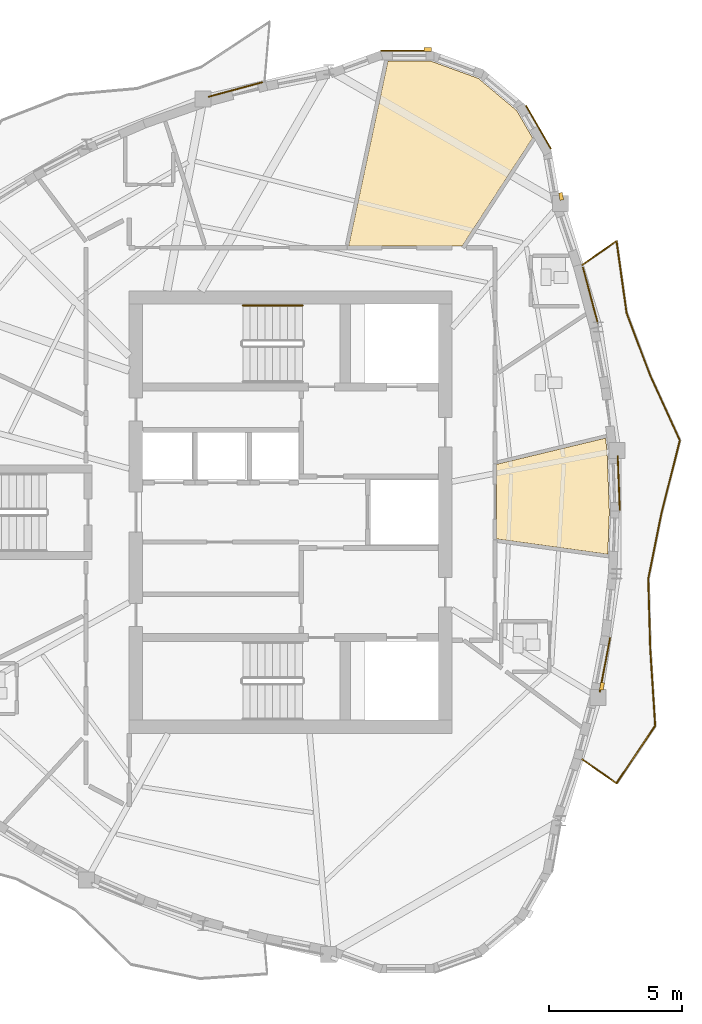
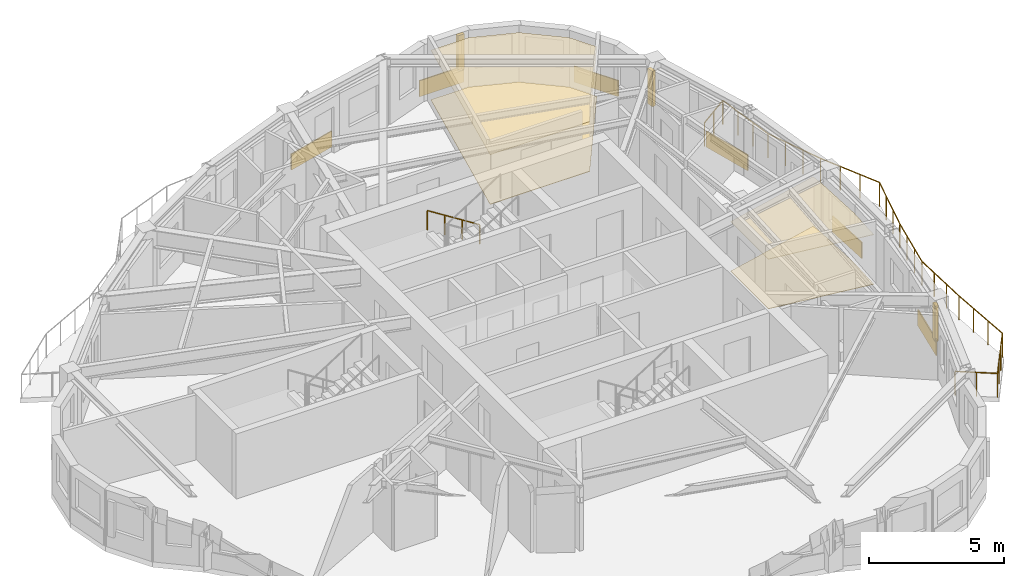
# One storey, part 11 of 12: 10 coverings, 3 shading devices, 2 railings.
"""IFC4 building model written with IfcOpenShell, lengths in metres."""

from ifc_helpers import new_model, si_unit, direction, frame, origin, origin_2d, place, context, subcontext, project, spatial, polyline, rectangle, circle, outline, extrude, source, transform, mapped, material, layer, layer_set, type_object, element, save


model = new_model("IFC4")

# Units and contexts
model_context = context("Model", 3, precision=1e-05, world=origin(), true_north=direction((0.0, 1.0)))
body_context = subcontext(model_context, "Body", "Model", "MODEL_VIEW")
ifc_project = project(units=[si_unit("LENGTHUNIT", "METRE"), si_unit("AREAUNIT", "SQUARE_METRE"), si_unit("VOLUMEUNIT", "CUBIC_METRE"), si_unit("PLANEANGLEUNIT", "RADIAN"), si_unit("MASSUNIT", "GRAM", prefix="KILO")], contexts=[model_context])

# Site, building, storey
site_placement = place(None, origin())
site = spatial("IfcSite", under=ifc_project, at=site_placement, CompositionType="ELEMENT")
building_placement = place(site_placement, origin())
building = spatial("IfcBuilding", under=site, at=building_placement, Name="Qafzar Sky-Pleat Residences", CompositionType="ELEMENT")
storey_placement = place(building_placement, frame((0.0, 0.0, 202.0)))
storey = spatial("IfcBuildingStorey", under=building, at=storey_placement, Name="L60", CompositionType="ELEMENT", Elevation=202.0)

# Coverings
ifc_material_1 = material(Name="Perforated acoustic gypsum board ceiling")
ifc_layer_1 = layer(ifc_material_1, 0.02001953125)
ifc_layer_set_1 = layer_set([ifc_layer_1], Name="Perforated acoustic gypsum board ceiling")
covering_type_1 = type_object("IfcCoveringType", Name="COV-CEIL-ACOUSTIC", PredefinedType="CEILING", material=ifc_layer_set_1)
covering_1_placement = place(storey_placement, frame((0.0, 0.0, 2.239990234375)))
element("IfcCovering", 1, at=covering_1_placement, inside=storey, type_object=covering_type_1, Name="L60 Communal Kitchen Acoustic Ceiling", PredefinedType="CEILING", context=body_context, shape_type="SweptSolid", body=[
    extrude(outline(polyline([(42.22119140625, 28.285888671875), (42.30810546875, 26.0), (42.248046875, 24.42138671875), (38.080078125, 24.99560546875), (38.080078125, 27.7958984375), (42.165283203125, 28.777587890625), (42.22119140625, 28.285888671875)])), origin(), (0.0, 0.0, 1.0), 0.02001953125),
])
covering_2_placement = place(storey_placement, frame((0.0, 0.0, 2.239990234375)))
element("IfcCovering", 2, at=covering_2_placement, inside=storey, type_object=covering_type_1, Name="L60 Co-Living Lounge Acoustic Ceiling", PredefinedType="CEILING", context=body_context, shape_type="SweptSolid", body=[
    extrude(outline(polyline([(35.6220703125, 42.912109375), (37.39208984375, 42.267578125), (38.835205078125, 41.056884765625), (39.42822265625, 40.02978515625), (36.787109375, 35.97998046875), (32.530517578125, 35.97998046875), (34.00244140625, 42.912109375), (35.6220703125, 42.912109375)])), origin(), (0.0, 0.0, 1.0), 0.02001953125),
])
ifc_material_2 = material(Name="Honed porcelain and Riyadh stone tile flooring", Category="masonry")
ifc_layer_2 = layer(ifc_material_2, 0.02001953125)
ifc_layer_set_2 = layer_set([ifc_layer_2], Name="Honed porcelain and Riyadh stone tile flooring")
covering_type_2 = type_object("IfcCoveringType", Name="COV-FLR-PORCELAIN", PredefinedType="FLOORING", material=ifc_layer_set_2)
covering_3_placement = place(storey_placement, origin())
element("IfcCovering", 3, at=covering_3_placement, inside=storey, type_object=covering_type_2, Name="L60 Communal Kitchen Honed Stone Flooring", PredefinedType="FLOORING", context=body_context, shape_type="SweptSolid", body=[
    extrude(outline(polyline([(42.22119140625, 28.285888671875), (42.30810546875, 26.0), (42.248046875, 24.42138671875), (38.080078125, 24.99560546875), (38.080078125, 27.7958984375), (42.165283203125, 28.777587890625), (42.22119140625, 28.285888671875)])), origin(), (0.0, 0.0, 1.0), 0.02001953125),
])
covering_4_placement = place(storey_placement, origin())
element("IfcCovering", 4, at=covering_4_placement, inside=storey, type_object=covering_type_2, Name="L60 Co-Living Lounge Honed Stone Flooring", PredefinedType="FLOORING", context=body_context, shape_type="SweptSolid", body=[
    extrude(outline(polyline([(35.6220703125, 42.912109375), (37.39208984375, 42.267578125), (38.835205078125, 41.056884765625), (39.42822265625, 40.02978515625), (36.787109375, 35.97998046875), (32.530517578125, 35.97998046875), (34.00244140625, 42.912109375), (35.6220703125, 42.912109375)])), origin(), (0.0, 0.0, 1.0), 0.02001953125),
])

# Shading devices
ifc_material_3 = material(Name="Honed Riyadh limestone solar fin", Category="masonry")
ifc_layer_3 = layer(ifc_material_3, 0.139892578125)
ifc_layer_set_3 = layer_set([ifc_layer_3], Name="Honed Riyadh limestone solar fin")
shading_device_type = type_object("IfcShadingDeviceType", Name="SHD-FIN-STONE", PredefinedType="SHUTTER", material=ifc_layer_set_3)
shared_shape_1 = source(origin(), body_context, "Body", "SweptSolid", [
    extrude(rectangle(XDim=0.139892578125, YDim=0.280029296875, at=origin_2d()), origin(), (0.0, 0.0, 1.0), 1.60009765625),
])
for number, where, z_axis, x_axis, name in (
    (5, (42.03125, 19.469970703125, 0.599853515625), (0.0, 0.0, 1.0), (0.982422816778, -0.186669250475, 0.0), "L60 Limestone Solar Fin 25"),
    (6, (40.498779296875, 37.838623046875, 0.599853515625), (0.0, 0.0, 1.0), (0.984806040716, 0.173657888303, 0.0), "L60 Limestone Solar Fin 33"),
    (7, (35.504638671875, 43.346923828125, 0.599853515625), (0.0, 0.0, 1.0), (0.0, 1.0, 0.0), "L60 Limestone Solar Fin 37"),
):
    element("IfcShadingDevice", number, at=place(storey_placement, frame(where, z_axis=z_axis, x_axis=x_axis)), inside=storey, type_object=shading_device_type, Name=name, PredefinedType="SHUTTER", context=body_context, shape_type="MappedRepresentation", body=[
        mapped(shared_shape_1, transform((0.0, 0.0, 0.0), x_axis=(1.0, 0.0, 0.0), y_axis=(0.0, 1.0, 0.0), z_axis=(0.0, 0.0, 1.0), scale=1.0)),
    ])

# Coverings
ifc_material_4 = material(Name="Honed Riyadh Tuwaiq limestone cladding", Category="masonry")
ifc_layer_4 = layer(ifc_material_4, 0.044921875)
ifc_layer_set_4 = layer_set([ifc_layer_4], Name="Honed Riyadh Tuwaiq limestone cladding")
covering_type_3 = type_object("IfcCoveringType", Name="COV-CLAD-STONE", PredefinedType="CLADDING", material=ifc_layer_set_4)
shared_shape_2 = source(origin(), body_context, "Body", "SweptSolid", [
    extrude(rectangle(XDim=1.88134765625, YDim=0.044921875, at=origin_2d()), origin(), (0.0, 0.0, 1.0), 0.719970703125),
])
for number, where, z_axis, x_axis, name in (
    (8, (39.645751953125, 40.43701171875, 0.02001953125), (0.0, 0.0, 1.0), (-0.499972303345, 0.866041393865, 0.0), "L60 Riyadh Limestone Spandrel Cladding 34"),
    (9, (34.679931640625, 43.303955078125, 0.02001953125), (0.0, 0.0, 1.0), (-1.0, 0.0, 0.0), "L60 Riyadh Limestone Spandrel Cladding 37"),
):
    element("IfcCovering", number, at=place(storey_placement, frame(where, z_axis=z_axis, x_axis=x_axis)), inside=storey, type_object=covering_type_3, Name=name, PredefinedType="CLADDING", context=body_context, shape_type="MappedRepresentation", body=[
        mapped(shared_shape_2, transform((0.0, 0.0, 0.0), x_axis=(1.0, 0.0, 0.0), y_axis=(0.0, 1.0, 0.0), z_axis=(0.0, 0.0, 1.0), scale=1.0)),
    ])

# Railing
ifc_material_5 = material(Name="Laminated glass and bronze steel balustrade", Category="steel")
railing_type_1 = type_object("IfcRailingType", Name="RAIL-BAL-1100", PredefinedType="BALUSTRADE", material=ifc_material_5)
shared_shape_3 = source(origin(), body_context, "Body", "SweptSolid", [
    extrude(circle(Radius=0.02392578125, at=origin_2d()), frame((0.0, 0.0, 1.076171875), z_axis=(0.820204604859, -0.572070280794, 0.0), x_axis=(0.572070280794, 0.820204604859, 0.0)), (0.0, 0.0, 1.0), 1.578125),
    extrude(circle(Radius=0.02392578125, at=origin_2d()), frame((1.29443359375, -0.90283203125, 1.076171875), z_axis=(0.557971916083, 0.829859832058, 0.0), x_axis=(-0.829859832058, 0.557971916083, 0.0)), (0.0, 0.0, 1.0), 2.596923828125),
    extrude(circle(Radius=0.02392578125, at=origin_2d()), frame((2.743408203125, 1.252197265625, 1.076171875), z_axis=(-0.063814327299, 0.997961788663, 0.0), x_axis=(-0.997961788663, -0.063814327299, 0.0)), (0.0, 0.0, 1.0), 2.89990234375),
    extrude(circle(Radius=0.02392578125, at=origin_2d()), frame((2.558349609375, 4.146240234375, 1.076171875), z_axis=(-0.02826417954, 0.999600488273, 0.0), x_axis=(-0.999600488273, -0.02826417954, 0.0)), (0.0, 0.0, 1.0), 2.6171875),
    extrude(circle(Radius=0.02392578125, at=origin_2d()), frame((2.484375, 6.762451171875, 1.076171875), z_axis=(0.197091666484, 0.980385064657, 0.0), x_axis=(-0.980385064657, 0.197091666484, 0.0)), (0.0, 0.0, 1.0), 2.550537109375),
    extrude(circle(Radius=0.02392578125, at=origin_2d()), frame((2.987060546875, 9.262939453125, 1.076171875), z_axis=(0.246096098099, 0.969245433572, 0.0), x_axis=(-0.969245433572, 0.246096098099, 0.0)), (0.0, 0.0, 1.0), 2.773681640625),
    extrude(circle(Radius=0.02392578125, at=origin_2d()), frame((3.669677734375, 11.951416015625, 1.076171875), z_axis=(-0.416157265311, 0.909292653951, 0.0), x_axis=(-0.909292653951, -0.416157265311, 0.0)), (0.0, 0.0, 1.0), 2.67041015625),
    extrude(circle(Radius=0.02392578125, at=origin_2d()), frame((2.558349609375, 14.379638671875, 1.076171875), z_axis=(-0.352567417277, 0.935786415949, 0.0), x_axis=(-0.935786415949, -0.352567417277, 0.0)), (0.0, 0.0, 1.0), 2.519287109375),
    extrude(circle(Radius=0.02392578125, at=origin_2d()), frame((1.670166015625, 16.737060546875, 1.076171875), z_axis=(-0.138251360548, 0.990397173515, 0.0), x_axis=(-0.990397173515, -0.138251360548, 0.0)), (0.0, 0.0, 1.0), 2.7177734375),
    extrude(circle(Radius=0.02392578125, at=origin_2d()), frame((1.29443359375, 19.4287109375, 1.076171875), z_axis=(-0.820204604859, -0.572070280794, 0.0), x_axis=(0.572070280794, -0.820204604859, 0.0)), (0.0, 0.0, 1.0), 1.578125),
    extrude(circle(Radius=0.02099609375, at=origin_2d()), origin(), (0.0, 0.0, 1.0), 1.052001953125),
    extrude(circle(Radius=0.02099609375, at=origin_2d()), frame((0.647216796875, -0.451416015625, 0.0)), (0.0, 0.0, 1.0), 1.052001953125),
    extrude(circle(Radius=0.02099609375, at=origin_2d()), frame((1.29443359375, -0.90283203125, 0.0)), (0.0, 0.0, 1.0), 1.052001953125),
    extrude(circle(Radius=0.02099609375, at=origin_2d()), frame((1.77734375, -0.1845703125, 0.0)), (0.0, 0.0, 1.0), 1.052001953125),
    extrude(circle(Radius=0.02099609375, at=origin_2d()), frame((2.260498046875, 0.533935546875, 0.0)), (0.0, 0.0, 1.0), 1.052001953125),
    extrude(circle(Radius=0.02099609375, at=origin_2d()), frame((2.743408203125, 1.252197265625, 0.0)), (0.0, 0.0, 1.0), 1.052001953125),
    extrude(circle(Radius=0.02099609375, at=origin_2d()), frame((2.681640625, 2.216796875, 0.0)), (0.0, 0.0, 1.0), 1.052001953125),
    extrude(circle(Radius=0.02099609375, at=origin_2d()), frame((2.6201171875, 3.181640625, 0.0)), (0.0, 0.0, 1.0), 1.052001953125),
    extrude(circle(Radius=0.02099609375, at=origin_2d()), frame((2.558349609375, 4.146240234375, 0.0)), (0.0, 0.0, 1.0), 1.052001953125),
    extrude(circle(Radius=0.02099609375, at=origin_2d()), frame((2.53369140625, 5.018310546875, 0.0)), (0.0, 0.0, 1.0), 1.052001953125),
    extrude(circle(Radius=0.02099609375, at=origin_2d()), frame((2.509033203125, 5.890380859375, 0.0)), (0.0, 0.0, 1.0), 1.052001953125),
    extrude(circle(Radius=0.02099609375, at=origin_2d()), frame((2.484375, 6.762451171875, 0.0)), (0.0, 0.0, 1.0), 1.052001953125),
    extrude(circle(Radius=0.02099609375, at=origin_2d()), frame((2.65185546875, 7.595947265625, 0.0)), (0.0, 0.0, 1.0), 1.052001953125),
    extrude(circle(Radius=0.02099609375, at=origin_2d()), frame((2.819580078125, 8.429443359375, 0.0)), (0.0, 0.0, 1.0), 1.052001953125),
    extrude(circle(Radius=0.02099609375, at=origin_2d()), frame((2.987060546875, 9.262939453125, 0.0)), (0.0, 0.0, 1.0), 1.052001953125),
    extrude(circle(Radius=0.02099609375, at=origin_2d()), frame((3.214599609375, 10.1591796875, 0.0)), (0.0, 0.0, 1.0), 1.052001953125),
    extrude(circle(Radius=0.02099609375, at=origin_2d()), frame((3.442138671875, 11.05517578125, 0.0)), (0.0, 0.0, 1.0), 1.052001953125),
    extrude(circle(Radius=0.02099609375, at=origin_2d()), frame((3.669677734375, 11.951416015625, 0.0)), (0.0, 0.0, 1.0), 1.052001953125),
    extrude(circle(Radius=0.02099609375, at=origin_2d()), frame((3.29931640625, 12.7607421875, 0.0)), (0.0, 0.0, 1.0), 1.052001953125),
    extrude(circle(Radius=0.02099609375, at=origin_2d()), frame((2.9287109375, 13.5703125, 0.0)), (0.0, 0.0, 1.0), 1.052001953125),
    extrude(circle(Radius=0.02099609375, at=origin_2d()), frame((2.558349609375, 14.379638671875, 0.0)), (0.0, 0.0, 1.0), 1.052001953125),
    extrude(circle(Radius=0.02099609375, at=origin_2d()), frame((2.26220703125, 15.16552734375, 0.0)), (0.0, 0.0, 1.0), 1.052001953125),
    extrude(circle(Radius=0.02099609375, at=origin_2d()), frame((1.96630859375, 15.951171875, 0.0)), (0.0, 0.0, 1.0), 1.052001953125),
    extrude(circle(Radius=0.02099609375, at=origin_2d()), frame((1.670166015625, 16.737060546875, 0.0)), (0.0, 0.0, 1.0), 1.052001953125),
    extrude(circle(Radius=0.02099609375, at=origin_2d()), frame((1.544921875, 17.63427734375, 0.0)), (0.0, 0.0, 1.0), 1.052001953125),
    extrude(circle(Radius=0.02099609375, at=origin_2d()), frame((1.419677734375, 18.531494140625, 0.0)), (0.0, 0.0, 1.0), 1.052001953125),
    extrude(circle(Radius=0.02099609375, at=origin_2d()), frame((1.29443359375, 19.4287109375, 0.0)), (0.0, 0.0, 1.0), 1.052001953125),
    extrude(circle(Radius=0.02099609375, at=origin_2d()), frame((0.647216796875, 18.977294921875, 0.0)), (0.0, 0.0, 1.0), 1.052001953125),
    extrude(circle(Radius=0.02099609375, at=origin_2d()), frame((0.0, 18.52587890625, 0.0)), (0.0, 0.0, 1.0), 1.052001953125),
])
railing_1_placement = place(storey_placement, frame((41.28125, 16.737060546875, 0.0)))
element("IfcRailing", 10, at=railing_1_placement, inside=storey, type_object=railing_type_1, Name="L60 Pleated Balcony 1 Balustrade", PredefinedType="BALUSTRADE", context=body_context, shape_type="MappedRepresentation", body=[
    mapped(shared_shape_3, transform((0.0, 0.0, 0.0), x_axis=(1.0, 0.0, 0.0), y_axis=(0.0, 1.0, 0.0), z_axis=(0.0, 0.0, 1.0), scale=1.0)),
])

# Coverings
shared_shape_4 = source(origin(), body_context, "Body", "SweptSolid", [
    extrude(rectangle(XDim=2.0732421875, YDim=0.044921875, at=origin_2d()), origin(), (0.0, 0.0, 1.0), 0.719970703125),
])
covering_5_placement = place(storey_placement, frame((42.140380859375, 20.273681640625, 0.02001953125), z_axis=(0.0, 0.0, 1.0), x_axis=(0.186673215742, 0.982422063334, 0.0)))
element("IfcCovering", 11, at=covering_5_placement, inside=storey, type_object=covering_type_3, Name="L60 Riyadh Limestone Spandrel Cladding 25", PredefinedType="CLADDING", context=body_context, shape_type="MappedRepresentation", body=[
    mapped(shared_shape_4, transform((0.0, 0.0, 0.0), x_axis=(1.0, 0.0, 0.0), y_axis=(0.0, 1.0, 0.0), z_axis=(0.0, 0.0, 1.0), scale=1.0)),
])
shared_shape_5 = source(origin(), body_context, "Body", "SweptSolid", [
    extrude(rectangle(XDim=2.037353515625, YDim=0.044921875, at=origin_2d()), origin(), (0.0, 0.0, 1.0), 0.719970703125),
])
covering_6_placement = place(storey_placement, frame((42.65869140625, 27.093994140625, 0.02001953125), z_axis=(0.0, 0.0, 1.0), x_axis=(-0.037992003404, 0.999278043228, 0.0)))
element("IfcCovering", 12, at=covering_6_placement, inside=storey, type_object=covering_type_3, Name="L60 Riyadh Limestone Spandrel Cladding 28", PredefinedType="CLADDING", context=body_context, shape_type="MappedRepresentation", body=[
    mapped(shared_shape_5, transform((0.0, 0.0, 0.0), x_axis=(1.0, 0.0, 0.0), y_axis=(0.0, 1.0, 0.0), z_axis=(0.0, 0.0, 1.0), scale=1.0)),
])
shared_shape_6 = source(origin(), body_context, "Body", "SweptSolid", [
    extrude(rectangle(XDim=2.171142578125, YDim=0.044921875, at=origin_2d()), origin(), (0.0, 0.0, 1.0), 0.719970703125),
])
covering_7_placement = place(storey_placement, frame((41.593017578125, 34.1328125, 0.02001953125), z_axis=(0.0, 0.0, 1.0), x_axis=(-0.257040824531, 0.966400545594, 0.0)))
element("IfcCovering", 13, at=covering_7_placement, inside=storey, type_object=covering_type_3, Name="L60 Riyadh Limestone Spandrel Cladding 31", PredefinedType="CLADDING", context=body_context, shape_type="MappedRepresentation", body=[
    mapped(shared_shape_6, transform((0.0, 0.0, 0.0), x_axis=(1.0, 0.0, 0.0), y_axis=(0.0, 1.0, 0.0), z_axis=(0.0, 0.0, 1.0), scale=1.0)),
])
shared_shape_7 = source(origin(), body_context, "Body", "SweptSolid", [
    extrude(rectangle(XDim=2.1083984375, YDim=0.044921875, at=origin_2d()), origin(), (0.0, 0.0, 1.0), 0.719970703125),
])
covering_8_placement = place(storey_placement, frame((28.280517578125, 41.847412109375, 0.02001953125), z_axis=(0.0, 0.0, 1.0), x_axis=(-0.965464740247, -0.260533750867, 0.0)))
element("IfcCovering", 14, at=covering_8_placement, inside=storey, type_object=covering_type_3, Name="L60 Riyadh Limestone Spandrel Cladding 40", PredefinedType="CLADDING", context=body_context, shape_type="MappedRepresentation", body=[
    mapped(shared_shape_7, transform((0.0, 0.0, 0.0), x_axis=(1.0, 0.0, 0.0), y_axis=(0.0, 1.0, 0.0), z_axis=(0.0, 0.0, 1.0), scale=1.0)),
])

# Railing
ifc_material_6 = material(Name="Brushed stainless steel handrail", Category="steel")
railing_type_2 = type_object("IfcRailingType", Name="RAIL-STAIR-HAND", PredefinedType="HANDRAIL", material=ifc_material_6)
shared_shape_8 = source(origin(), body_context, "Body", "SweptSolid", [
    extrude(circle(Radius=0.02392578125, at=origin_2d()), frame((0.0, 0.0, 0.8759765625), z_axis=(-0.84418770128, 0.0, 0.536047689118), x_axis=(0.0, -1.0, 0.0)), (0.0, 0.0, 1.0), 2.6533203125),
    extrude(circle(Radius=0.02099609375, at=origin_2d()), origin(), (0.0, 0.0, 1.0), 0.851806640625),
    extrude(circle(Radius=0.02099609375, at=origin_2d()), frame((-0.74658203125, 0.0, 0.47412109375)), (0.0, 0.0, 1.0), 0.851806640625),
    extrude(circle(Radius=0.02099609375, at=origin_2d()), frame((-1.493408203125, 0.0, 0.9482421875)), (0.0, 0.0, 1.0), 0.851806640625),
    extrude(circle(Radius=0.02099609375, at=origin_2d()), frame((-2.239990234375, 0.0, 1.42236328125)), (0.0, 0.0, 1.0), 0.851806640625),
])
railing_2_placement = place(storey_placement, frame((30.800048828125, 33.75, 0.177734375)))
element("IfcRailing", 15, at=railing_2_placement, inside=storey, type_object=railing_type_2, Name="L60 ST2 stair handrail 1", PredefinedType="HANDRAIL", context=body_context, shape_type="MappedRepresentation", body=[
    mapped(shared_shape_8, transform((0.0, 0.0, 0.0), x_axis=(1.0, 0.0, 0.0), y_axis=(0.0, 1.0, 0.0), z_axis=(0.0, 0.0, 1.0), scale=1.0)),
])

save(model, "model.ifc")
